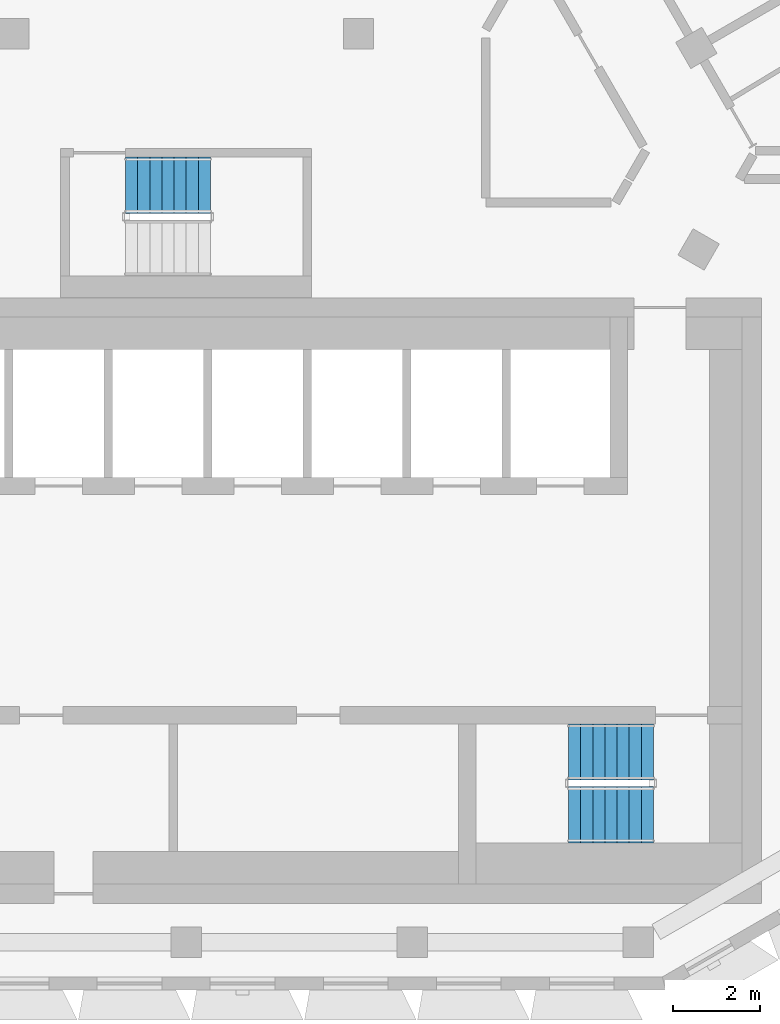
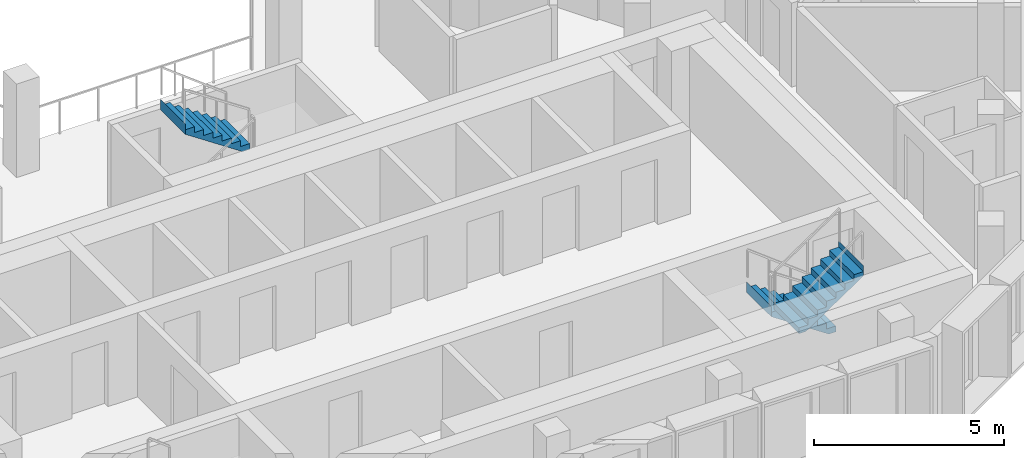
# One storey, part 11 of 16: 3 stair flights, 2 elements without a shape of their own.
"""IFC4 building model written with IfcOpenShell, lengths in metres."""

from ifc_helpers import new_model, si_unit, direction, frame, origin, place, context, subcontext, project, spatial, triangles, material, type_object, element, aggregate, save


model = new_model("IFC4")

# Units and contexts
model_context = context("Model", 3, precision=1e-05, world=origin(), true_north=direction((0.0, 1.0)))
body_context = subcontext(model_context, "Body", "Model", "MODEL_VIEW")
ifc_project = project(units=[si_unit("LENGTHUNIT", "METRE"), si_unit("AREAUNIT", "SQUARE_METRE"), si_unit("VOLUMEUNIT", "CUBIC_METRE"), si_unit("PLANEANGLEUNIT", "RADIAN"), si_unit("MASSUNIT", "GRAM", prefix="KILO")], contexts=[model_context])

# Site, building, storey
site_placement = place(None, origin())
site = spatial("IfcSite", under=ifc_project, at=site_placement, CompositionType="ELEMENT")
building_placement = place(site_placement, origin())
building = spatial("IfcBuilding", under=site, at=building_placement, Name="Beryl Residences", CompositionType="ELEMENT")
storey_placement = place(building_placement, frame((0.0, 0.0, 238.800048828125)))
storey = spatial("IfcBuildingStorey", under=building, at=storey_placement, Name="L74", CompositionType="ELEMENT", Elevation=238.800048828125)

# Stair, stair flights
ifc_material_1 = material(Name="Concrete C40/50", Category="concrete")
stair_type = type_object("IfcStairType", Name="ST1 protected exit stair, half-turn, 1300 mm flights", PredefinedType="HALF_TURN_STAIR", material=ifc_material_1)
stair_1_placement = place(storey_placement, origin())
stair_1 = element("IfcStair", 1, at=stair_1_placement, inside=storey, type_object=stair_type, Name="L74 PROTECTED EXIT STAIR ST-3", PredefinedType="HALF_TURN_STAIR")
ifc_material_2 = material(Name="Concrete C40/50", Category="concrete")
stair_flight_type = type_object("IfcStairFlightType", Name="SF1 stair flight 1300 mm", PredefinedType="STRAIGHT", material=ifc_material_2)
stair_flight_1_placement = place(storey_placement, frame((10.800048828125, -15.5, 0.0), z_axis=(0.0, 0.0, 1.0), x_axis=(-1.0, 0.0, 0.0)))
stair_flight_1 = element("IfcStairFlight", 2, at=stair_flight_1_placement, type_object=stair_flight_type, Name="ST-3 flight 1", NumberOfRisers=8, NumberOfTreads=7, PredefinedType="STRAIGHT", RiserHeight=0.1875, TreadLength=0.28, context=body_context, shape_type="Tessellation", body=[
    triangles([(0.0, -0.64990234375, 0.0), (0.0, -0.324951171875, 0.0), (0.0, 0.0, 0.0), (0.0, 0.324951171875, 0.0), (0.0, 0.64990234375, 0.0), (0.0, -0.64990234375, 0.1875), (0.0, -0.324951171875, 0.1875), (0.0, 0.0, 0.1875), (0.0, 0.324951171875, 0.1875), (0.0, 0.64990234375, 0.1875), (0.280029296875, -0.64990234375, 0.1875), (0.280029296875, -0.324951171875, 0.1875), (0.280029296875, 0.0, 0.1875), (0.280029296875, 0.324951171875, 0.1875), (0.280029296875, 0.64990234375, 0.1875), (0.280029296875, -0.64990234375, 0.375), (0.280029296875, -0.324951171875, 0.375), (0.280029296875, 0.0, 0.375), (0.280029296875, 0.324951171875, 0.375), (0.280029296875, 0.64990234375, 0.375), (0.56005859375, -0.64990234375, 0.375), (0.56005859375, -0.324951171875, 0.375), (0.56005859375, 0.0, 0.375), (0.56005859375, 0.324951171875, 0.375), (0.56005859375, 0.64990234375, 0.375), (0.56005859375, -0.64990234375, 0.5625), (0.56005859375, -0.324951171875, 0.5625), (0.56005859375, 0.0, 0.5625), (0.56005859375, 0.324951171875, 0.5625), (0.56005859375, 0.64990234375, 0.5625), (0.840087890625, -0.64990234375, 0.5625), (0.840087890625, -0.324951171875, 0.5625), (0.840087890625, 0.0, 0.5625), (0.840087890625, 0.324951171875, 0.5625), (0.840087890625, 0.64990234375, 0.5625), (0.840087890625, -0.64990234375, 0.75), (0.840087890625, -0.324951171875, 0.75), (0.840087890625, 0.0, 0.75), (0.840087890625, 0.324951171875, 0.75), (0.840087890625, 0.64990234375, 0.75), (1.1201171875, -0.64990234375, 0.75), (1.1201171875, -0.324951171875, 0.75), (1.1201171875, 0.0, 0.75), (1.1201171875, 0.324951171875, 0.75), (1.1201171875, 0.64990234375, 0.75), (1.1201171875, -0.64990234375, 0.9375), (1.1201171875, -0.324951171875, 0.9375), (1.1201171875, 0.0, 0.9375), (1.1201171875, 0.324951171875, 0.9375), (1.1201171875, 0.64990234375, 0.9375), (1.39990234375, -0.64990234375, 0.9375), (1.39990234375, -0.324951171875, 0.9375), (1.39990234375, 0.0, 0.9375), (1.39990234375, 0.324951171875, 0.9375), (1.39990234375, 0.64990234375, 0.9375), (1.39990234375, -0.64990234375, 1.125), (1.39990234375, -0.324951171875, 1.125), (1.39990234375, 0.0, 1.125), (1.39990234375, 0.324951171875, 1.125), (1.39990234375, 0.64990234375, 1.125), (1.679931640625, -0.64990234375, 1.125), (1.679931640625, -0.324951171875, 1.125), (1.679931640625, 0.0, 1.125), (1.679931640625, 0.324951171875, 1.125), (1.679931640625, 0.64990234375, 1.125), (1.679931640625, -0.64990234375, 1.3125), (1.679931640625, -0.324951171875, 1.3125), (1.679931640625, 0.0, 1.3125), (1.679931640625, 0.324951171875, 1.3125), (1.679931640625, 0.64990234375, 1.3125), (1.9599609375, -0.64990234375, 1.3125), (1.9599609375, -0.324951171875, 1.3125), (1.9599609375, 0.0, 1.3125), (1.9599609375, 0.324951171875, 1.3125), (1.9599609375, 0.64990234375, 1.3125), (1.9599609375, -0.64990234375, 1.5), (1.9599609375, -0.324951171875, 1.5), (1.9599609375, 0.0, 1.5), (1.9599609375, 0.324951171875, 1.5), (1.9599609375, 0.64990234375, 1.5), (1.9609375, -0.64990234375, 1.5), (1.9609375, -0.324951171875, 1.5), (1.9609375, 0.0, 1.5), (1.9609375, 0.324951171875, 1.5), (1.9609375, 0.64990234375, 1.5), (1.9609375, -0.64990234375, 1.16796875), (1.9609375, -0.324951171875, 1.16796875), (1.9609375, 0.0, 1.16796875), (1.9609375, 0.324951171875, 1.16796875), (1.9609375, 0.64990234375, 1.16796875), (0.216796875, -0.64990234375, 0.0), (0.216796875, -0.324951171875, 0.0), (0.216796875, 0.0, 0.0), (0.216796875, 0.324951171875, 0.0), (0.216796875, 0.64990234375, 0.0)], [[1, 6, 7], [1, 7, 2], [2, 7, 8], [2, 8, 3], [3, 8, 9], [3, 9, 4], [4, 9, 10], [4, 10, 5], [6, 11, 12], [6, 12, 7], [7, 12, 13], [7, 13, 8], [8, 13, 14], [8, 14, 9], [9, 14, 15], [9, 15, 10], [11, 16, 17], [11, 17, 12], [12, 17, 18], [12, 18, 13], [13, 18, 19], [13, 19, 14], [14, 19, 20], [14, 20, 15], [16, 21, 22], [16, 22, 17], [17, 22, 23], [17, 23, 18], [18, 23, 24], [18, 24, 19], [19, 24, 25], [19, 25, 20], [21, 26, 27], [21, 27, 22], [22, 27, 28], [22, 28, 23], [23, 28, 29], [23, 29, 24], [24, 29, 30], [24, 30, 25], [26, 31, 32], [26, 32, 27], [27, 32, 33], [27, 33, 28], [28, 33, 34], [28, 34, 29], [29, 34, 35], [29, 35, 30], [31, 36, 37], [31, 37, 32], [32, 37, 38], [32, 38, 33], [33, 38, 39], [33, 39, 34], [34, 39, 40], [34, 40, 35], [36, 41, 42], [36, 42, 37], [37, 42, 43], [37, 43, 38], [38, 43, 44], [38, 44, 39], [39, 44, 45], [39, 45, 40], [41, 46, 47], [41, 47, 42], [42, 47, 48], [42, 48, 43], [43, 48, 49], [43, 49, 44], [44, 49, 50], [44, 50, 45], [46, 51, 52], [46, 52, 47], [47, 52, 53], [47, 53, 48], [48, 53, 54], [48, 54, 49], [49, 54, 55], [49, 55, 50], [51, 56, 57], [51, 57, 52], [52, 57, 58], [52, 58, 53], [53, 58, 59], [53, 59, 54], [54, 59, 60], [54, 60, 55], [56, 61, 62], [56, 62, 57], [57, 62, 63], [57, 63, 58], [58, 63, 64], [58, 64, 59], [59, 64, 65], [59, 65, 60], [61, 66, 67], [61, 67, 62], [62, 67, 68], [62, 68, 63], [63, 68, 69], [63, 69, 64], [64, 69, 70], [64, 70, 65], [66, 71, 72], [66, 72, 67], [67, 72, 73], [67, 73, 68], [68, 73, 74], [68, 74, 69], [69, 74, 75], [69, 75, 70], [71, 76, 77], [71, 77, 72], [72, 77, 78], [72, 78, 73], [73, 78, 79], [73, 79, 74], [74, 79, 80], [74, 80, 75], [76, 81, 82], [76, 82, 77], [77, 82, 83], [77, 83, 78], [78, 83, 84], [78, 84, 79], [79, 84, 85], [79, 85, 80], [81, 86, 87], [81, 87, 82], [82, 87, 88], [82, 88, 83], [83, 88, 89], [83, 89, 84], [84, 89, 90], [84, 90, 85], [86, 91, 92], [86, 92, 87], [87, 92, 93], [87, 93, 88], [88, 93, 94], [88, 94, 89], [89, 94, 95], [89, 95, 90], [91, 1, 2], [91, 2, 92], [92, 2, 3], [92, 3, 93], [93, 3, 4], [93, 4, 94], [94, 4, 5], [94, 5, 95], [1, 91, 86], [5, 90, 95], [86, 81, 76], [90, 80, 85], [86, 76, 71], [90, 75, 80], [86, 71, 66], [90, 70, 75], [86, 66, 61], [90, 65, 70], [61, 56, 51], [65, 55, 60], [86, 61, 51], [90, 55, 65], [51, 46, 41], [55, 45, 50], [86, 51, 41], [90, 45, 55], [41, 36, 31], [45, 35, 40], [86, 41, 31], [90, 35, 45], [31, 26, 21], [35, 25, 30], [86, 31, 21], [90, 25, 35], [21, 16, 11], [25, 15, 20], [86, 21, 11], [90, 15, 25], [1, 86, 11], [5, 15, 90], [11, 6, 1], [15, 5, 10]], closed=True),
])
stair_flight_2_placement = place(storey_placement, frame((8.840087890625, -16.949951171875, 1.5), z_axis=(0.0, 0.0, 1.0), x_axis=(1.0, 0.0, 0.0)))
stair_flight_2 = element("IfcStairFlight", 3, at=stair_flight_2_placement, type_object=stair_flight_type, Name="ST-3 flight 2", NumberOfRisers=8, NumberOfTreads=7, PredefinedType="STRAIGHT", RiserHeight=0.1875, TreadLength=0.28, context=body_context, shape_type="Tessellation", body=[
    triangles([(0.0, -0.64990234375, 0.0), (0.0, -0.324951171875, 0.0), (0.0, 0.0, 0.0), (0.0, 0.324951171875, 0.0), (0.0, 0.64990234375, 0.0), (0.0, -0.64990234375, 0.1875), (0.0, -0.324951171875, 0.1875), (0.0, 0.0, 0.1875), (0.0, 0.324951171875, 0.1875), (0.0, 0.64990234375, 0.1875), (0.280029296875, -0.64990234375, 0.1875), (0.280029296875, -0.324951171875, 0.1875), (0.280029296875, 0.0, 0.1875), (0.280029296875, 0.324951171875, 0.1875), (0.280029296875, 0.64990234375, 0.1875), (0.280029296875, -0.64990234375, 0.375), (0.280029296875, -0.324951171875, 0.375), (0.280029296875, 0.0, 0.375), (0.280029296875, 0.324951171875, 0.375), (0.280029296875, 0.64990234375, 0.375), (0.56005859375, -0.64990234375, 0.375), (0.56005859375, -0.324951171875, 0.375), (0.56005859375, 0.0, 0.375), (0.56005859375, 0.324951171875, 0.375), (0.56005859375, 0.64990234375, 0.375), (0.56005859375, -0.64990234375, 0.5625), (0.56005859375, -0.324951171875, 0.5625), (0.56005859375, 0.0, 0.5625), (0.56005859375, 0.324951171875, 0.5625), (0.56005859375, 0.64990234375, 0.5625), (0.840087890625, -0.64990234375, 0.5625), (0.840087890625, -0.324951171875, 0.5625), (0.840087890625, 0.0, 0.5625), (0.840087890625, 0.324951171875, 0.5625), (0.840087890625, 0.64990234375, 0.5625), (0.840087890625, -0.64990234375, 0.75), (0.840087890625, -0.324951171875, 0.75), (0.840087890625, 0.0, 0.75), (0.840087890625, 0.324951171875, 0.75), (0.840087890625, 0.64990234375, 0.75), (1.1201171875, -0.64990234375, 0.75), (1.1201171875, -0.324951171875, 0.75), (1.1201171875, 0.0, 0.75), (1.1201171875, 0.324951171875, 0.75), (1.1201171875, 0.64990234375, 0.75), (1.1201171875, -0.64990234375, 0.9375), (1.1201171875, -0.324951171875, 0.9375), (1.1201171875, 0.0, 0.9375), (1.1201171875, 0.324951171875, 0.9375), (1.1201171875, 0.64990234375, 0.9375), (1.39990234375, -0.64990234375, 0.9375), (1.39990234375, -0.324951171875, 0.9375), (1.39990234375, 0.0, 0.9375), (1.39990234375, 0.324951171875, 0.9375), (1.39990234375, 0.64990234375, 0.9375), (1.39990234375, -0.64990234375, 1.125), (1.39990234375, -0.324951171875, 1.125), (1.39990234375, 0.0, 1.125), (1.39990234375, 0.324951171875, 1.125), (1.39990234375, 0.64990234375, 1.125), (1.679931640625, -0.64990234375, 1.125), (1.679931640625, -0.324951171875, 1.125), (1.679931640625, 0.0, 1.125), (1.679931640625, 0.324951171875, 1.125), (1.679931640625, 0.64990234375, 1.125), (1.679931640625, -0.64990234375, 1.3125), (1.679931640625, -0.324951171875, 1.3125), (1.679931640625, 0.0, 1.3125), (1.679931640625, 0.324951171875, 1.3125), (1.679931640625, 0.64990234375, 1.3125), (1.9599609375, -0.64990234375, 1.3125), (1.9599609375, -0.324951171875, 1.3125), (1.9599609375, 0.0, 1.3125), (1.9599609375, 0.324951171875, 1.3125), (1.9599609375, 0.64990234375, 1.3125), (1.9599609375, -0.64990234375, 1.5), (1.9599609375, -0.324951171875, 1.5), (1.9599609375, 0.0, 1.5), (1.9599609375, 0.324951171875, 1.5), (1.9599609375, 0.64990234375, 1.5), (1.9609375, -0.64990234375, 1.5), (1.9609375, -0.324951171875, 1.5), (1.9609375, 0.0, 1.5), (1.9609375, 0.324951171875, 1.5), (1.9609375, 0.64990234375, 1.5), (1.9609375, -0.64990234375, 1.16796875), (1.9609375, -0.324951171875, 1.16796875), (1.9609375, 0.0, 1.16796875), (1.9609375, 0.324951171875, 1.16796875), (1.9609375, 0.64990234375, 1.16796875), (0.216796875, -0.64990234375, 0.0), (0.216796875, -0.324951171875, 0.0), (0.216796875, 0.0, 0.0), (0.216796875, 0.324951171875, 0.0), (0.216796875, 0.64990234375, 0.0)], [[1, 6, 7], [1, 7, 2], [2, 7, 8], [2, 8, 3], [3, 8, 9], [3, 9, 4], [4, 9, 10], [4, 10, 5], [6, 11, 12], [6, 12, 7], [7, 12, 13], [7, 13, 8], [8, 13, 14], [8, 14, 9], [9, 14, 15], [9, 15, 10], [11, 16, 17], [11, 17, 12], [12, 17, 18], [12, 18, 13], [13, 18, 19], [13, 19, 14], [14, 19, 20], [14, 20, 15], [16, 21, 22], [16, 22, 17], [17, 22, 23], [17, 23, 18], [18, 23, 24], [18, 24, 19], [19, 24, 25], [19, 25, 20], [21, 26, 27], [21, 27, 22], [22, 27, 28], [22, 28, 23], [23, 28, 29], [23, 29, 24], [24, 29, 30], [24, 30, 25], [26, 31, 32], [26, 32, 27], [27, 32, 33], [27, 33, 28], [28, 33, 34], [28, 34, 29], [29, 34, 35], [29, 35, 30], [31, 36, 37], [31, 37, 32], [32, 37, 38], [32, 38, 33], [33, 38, 39], [33, 39, 34], [34, 39, 40], [34, 40, 35], [36, 41, 42], [36, 42, 37], [37, 42, 43], [37, 43, 38], [38, 43, 44], [38, 44, 39], [39, 44, 45], [39, 45, 40], [41, 46, 47], [41, 47, 42], [42, 47, 48], [42, 48, 43], [43, 48, 49], [43, 49, 44], [44, 49, 50], [44, 50, 45], [46, 51, 52], [46, 52, 47], [47, 52, 53], [47, 53, 48], [48, 53, 54], [48, 54, 49], [49, 54, 55], [49, 55, 50], [51, 56, 57], [51, 57, 52], [52, 57, 58], [52, 58, 53], [53, 58, 59], [53, 59, 54], [54, 59, 60], [54, 60, 55], [56, 61, 62], [56, 62, 57], [57, 62, 63], [57, 63, 58], [58, 63, 64], [58, 64, 59], [59, 64, 65], [59, 65, 60], [61, 66, 67], [61, 67, 62], [62, 67, 68], [62, 68, 63], [63, 68, 69], [63, 69, 64], [64, 69, 70], [64, 70, 65], [66, 71, 72], [66, 72, 67], [67, 72, 73], [67, 73, 68], [68, 73, 74], [68, 74, 69], [69, 74, 75], [69, 75, 70], [71, 76, 77], [71, 77, 72], [72, 77, 78], [72, 78, 73], [73, 78, 79], [73, 79, 74], [74, 79, 80], [74, 80, 75], [76, 81, 82], [76, 82, 77], [77, 82, 83], [77, 83, 78], [78, 83, 84], [78, 84, 79], [79, 84, 85], [79, 85, 80], [81, 86, 87], [81, 87, 82], [82, 87, 88], [82, 88, 83], [83, 88, 89], [83, 89, 84], [84, 89, 90], [84, 90, 85], [86, 91, 92], [86, 92, 87], [87, 92, 93], [87, 93, 88], [88, 93, 94], [88, 94, 89], [89, 94, 95], [89, 95, 90], [91, 1, 2], [91, 2, 92], [92, 2, 3], [92, 3, 93], [93, 3, 4], [93, 4, 94], [94, 4, 5], [94, 5, 95], [1, 91, 86], [5, 90, 95], [86, 81, 76], [90, 80, 85], [86, 76, 71], [90, 75, 80], [86, 71, 66], [90, 70, 75], [86, 66, 61], [90, 65, 70], [61, 56, 51], [65, 55, 60], [86, 61, 51], [90, 55, 65], [51, 46, 41], [55, 45, 50], [86, 51, 41], [90, 45, 55], [41, 36, 31], [45, 35, 40], [86, 41, 31], [90, 35, 45], [31, 26, 21], [35, 25, 30], [86, 31, 21], [90, 25, 35], [21, 16, 11], [25, 15, 20], [86, 21, 11], [90, 15, 25], [1, 86, 11], [5, 15, 90], [11, 6, 1], [15, 5, 10]], closed=True),
])
aggregate(stair_1, [stair_flight_1, stair_flight_2])

# Stair, stair flight
stair_2_placement = place(storey_placement, origin())
stair_2 = element("IfcStair", 4, at=stair_2_placement, inside=storey, type_object=stair_type, Name="L74 PROTECTED EXIT STAIR ST-4", PredefinedType="HALF_TURN_STAIR")
stair_flight_3_placement = place(storey_placement, frame((0.56005859375, -2.39990234375, 1.5), z_axis=(0.0, 0.0, 1.0), x_axis=(-1.0, 0.0, 0.0)))
stair_flight_3 = element("IfcStairFlight", 5, at=stair_flight_3_placement, type_object=stair_flight_type, Name="ST-4 flight 2", NumberOfRisers=8, NumberOfTreads=7, PredefinedType="STRAIGHT", RiserHeight=0.1875, TreadLength=0.28, context=body_context, shape_type="Tessellation", body=[
    triangles([(0.0, -0.64990234375, 0.0), (0.0, -0.324951171875, 0.0), (0.0, 0.0, 0.0), (0.0, 0.324951171875, 0.0), (0.0, 0.64990234375, 0.0), (0.0, -0.64990234375, 0.1875), (0.0, -0.324951171875, 0.1875), (0.0, 0.0, 0.1875), (0.0, 0.324951171875, 0.1875), (0.0, 0.64990234375, 0.1875), (0.280029296875, -0.64990234375, 0.1875), (0.280029296875, -0.324951171875, 0.1875), (0.280029296875, 0.0, 0.1875), (0.280029296875, 0.324951171875, 0.1875), (0.280029296875, 0.64990234375, 0.1875), (0.280029296875, -0.64990234375, 0.375), (0.280029296875, -0.324951171875, 0.375), (0.280029296875, 0.0, 0.375), (0.280029296875, 0.324951171875, 0.375), (0.280029296875, 0.64990234375, 0.375), (0.56005859375, -0.64990234375, 0.375), (0.56005859375, -0.324951171875, 0.375), (0.56005859375, 0.0, 0.375), (0.56005859375, 0.324951171875, 0.375), (0.56005859375, 0.64990234375, 0.375), (0.56005859375, -0.64990234375, 0.5625), (0.56005859375, -0.324951171875, 0.5625), (0.56005859375, 0.0, 0.5625), (0.56005859375, 0.324951171875, 0.5625), (0.56005859375, 0.64990234375, 0.5625), (0.840087890625, -0.64990234375, 0.5625), (0.840087890625, -0.324951171875, 0.5625), (0.840087890625, 0.0, 0.5625), (0.840087890625, 0.324951171875, 0.5625), (0.840087890625, 0.64990234375, 0.5625), (0.840087890625, -0.64990234375, 0.75), (0.840087890625, -0.324951171875, 0.75), (0.840087890625, 0.0, 0.75), (0.840087890625, 0.324951171875, 0.75), (0.840087890625, 0.64990234375, 0.75), (1.1201171875, -0.64990234375, 0.75), (1.1201171875, -0.324951171875, 0.75), (1.1201171875, 0.0, 0.75), (1.1201171875, 0.324951171875, 0.75), (1.1201171875, 0.64990234375, 0.75), (1.1201171875, -0.64990234375, 0.9375), (1.1201171875, -0.324951171875, 0.9375), (1.1201171875, 0.0, 0.9375), (1.1201171875, 0.324951171875, 0.9375), (1.1201171875, 0.64990234375, 0.9375), (1.39990234375, -0.64990234375, 0.9375), (1.39990234375, -0.324951171875, 0.9375), (1.39990234375, 0.0, 0.9375), (1.39990234375, 0.324951171875, 0.9375), (1.39990234375, 0.64990234375, 0.9375), (1.39990234375, -0.64990234375, 1.125), (1.39990234375, -0.324951171875, 1.125), (1.39990234375, 0.0, 1.125), (1.39990234375, 0.324951171875, 1.125), (1.39990234375, 0.64990234375, 1.125), (1.679931640625, -0.64990234375, 1.125), (1.679931640625, -0.324951171875, 1.125), (1.679931640625, 0.0, 1.125), (1.679931640625, 0.324951171875, 1.125), (1.679931640625, 0.64990234375, 1.125), (1.679931640625, -0.64990234375, 1.3125), (1.679931640625, -0.324951171875, 1.3125), (1.679931640625, 0.0, 1.3125), (1.679931640625, 0.324951171875, 1.3125), (1.679931640625, 0.64990234375, 1.3125), (1.9599609375, -0.64990234375, 1.3125), (1.9599609375, -0.324951171875, 1.3125), (1.9599609375, 0.0, 1.3125), (1.9599609375, 0.324951171875, 1.3125), (1.9599609375, 0.64990234375, 1.3125), (1.9599609375, -0.64990234375, 1.5), (1.9599609375, -0.324951171875, 1.5), (1.9599609375, 0.0, 1.5), (1.9599609375, 0.324951171875, 1.5), (1.9599609375, 0.64990234375, 1.5), (1.9609375, -0.64990234375, 1.5), (1.9609375, -0.324951171875, 1.5), (1.9609375, 0.0, 1.5), (1.9609375, 0.324951171875, 1.5), (1.9609375, 0.64990234375, 1.5), (1.9609375, -0.64990234375, 1.16796875), (1.9609375, -0.324951171875, 1.16796875), (1.9609375, 0.0, 1.16796875), (1.9609375, 0.324951171875, 1.16796875), (1.9609375, 0.64990234375, 1.16796875), (0.216796875, -0.64990234375, 0.0), (0.216796875, -0.324951171875, 0.0), (0.216796875, 0.0, 0.0), (0.216796875, 0.324951171875, 0.0), (0.216796875, 0.64990234375, 0.0)], [[1, 6, 7], [1, 7, 2], [2, 7, 8], [2, 8, 3], [3, 8, 9], [3, 9, 4], [4, 9, 10], [4, 10, 5], [6, 11, 12], [6, 12, 7], [7, 12, 13], [7, 13, 8], [8, 13, 14], [8, 14, 9], [9, 14, 15], [9, 15, 10], [11, 16, 17], [11, 17, 12], [12, 17, 18], [12, 18, 13], [13, 18, 19], [13, 19, 14], [14, 19, 20], [14, 20, 15], [16, 21, 22], [16, 22, 17], [17, 22, 23], [17, 23, 18], [18, 23, 24], [18, 24, 19], [19, 24, 25], [19, 25, 20], [21, 26, 27], [21, 27, 22], [22, 27, 28], [22, 28, 23], [23, 28, 29], [23, 29, 24], [24, 29, 30], [24, 30, 25], [26, 31, 32], [26, 32, 27], [27, 32, 33], [27, 33, 28], [28, 33, 34], [28, 34, 29], [29, 34, 35], [29, 35, 30], [31, 36, 37], [31, 37, 32], [32, 37, 38], [32, 38, 33], [33, 38, 39], [33, 39, 34], [34, 39, 40], [34, 40, 35], [36, 41, 42], [36, 42, 37], [37, 42, 43], [37, 43, 38], [38, 43, 44], [38, 44, 39], [39, 44, 45], [39, 45, 40], [41, 46, 47], [41, 47, 42], [42, 47, 48], [42, 48, 43], [43, 48, 49], [43, 49, 44], [44, 49, 50], [44, 50, 45], [46, 51, 52], [46, 52, 47], [47, 52, 53], [47, 53, 48], [48, 53, 54], [48, 54, 49], [49, 54, 55], [49, 55, 50], [51, 56, 57], [51, 57, 52], [52, 57, 58], [52, 58, 53], [53, 58, 59], [53, 59, 54], [54, 59, 60], [54, 60, 55], [56, 61, 62], [56, 62, 57], [57, 62, 63], [57, 63, 58], [58, 63, 64], [58, 64, 59], [59, 64, 65], [59, 65, 60], [61, 66, 67], [61, 67, 62], [62, 67, 68], [62, 68, 63], [63, 68, 69], [63, 69, 64], [64, 69, 70], [64, 70, 65], [66, 71, 72], [66, 72, 67], [67, 72, 73], [67, 73, 68], [68, 73, 74], [68, 74, 69], [69, 74, 75], [69, 75, 70], [71, 76, 77], [71, 77, 72], [72, 77, 78], [72, 78, 73], [73, 78, 79], [73, 79, 74], [74, 79, 80], [74, 80, 75], [76, 81, 82], [76, 82, 77], [77, 82, 83], [77, 83, 78], [78, 83, 84], [78, 84, 79], [79, 84, 85], [79, 85, 80], [81, 86, 87], [81, 87, 82], [82, 87, 88], [82, 88, 83], [83, 88, 89], [83, 89, 84], [84, 89, 90], [84, 90, 85], [86, 91, 92], [86, 92, 87], [87, 92, 93], [87, 93, 88], [88, 93, 94], [88, 94, 89], [89, 94, 95], [89, 95, 90], [91, 1, 2], [91, 2, 92], [92, 2, 3], [92, 3, 93], [93, 3, 4], [93, 4, 94], [94, 4, 5], [94, 5, 95], [1, 91, 86], [5, 90, 95], [86, 81, 76], [90, 80, 85], [86, 76, 71], [90, 75, 80], [86, 71, 66], [90, 70, 75], [86, 66, 61], [90, 65, 70], [61, 56, 51], [65, 55, 60], [86, 61, 51], [90, 55, 65], [51, 46, 41], [55, 45, 50], [86, 51, 41], [90, 45, 55], [41, 36, 31], [45, 35, 40], [86, 41, 31], [90, 35, 45], [31, 26, 21], [35, 25, 30], [86, 31, 21], [90, 25, 35], [21, 16, 11], [25, 15, 20], [86, 21, 11], [90, 15, 25], [1, 86, 11], [5, 15, 90], [11, 6, 1], [15, 5, 10]], closed=True),
])
aggregate(stair_2, [stair_flight_3])

save(model, "model.ifc")
